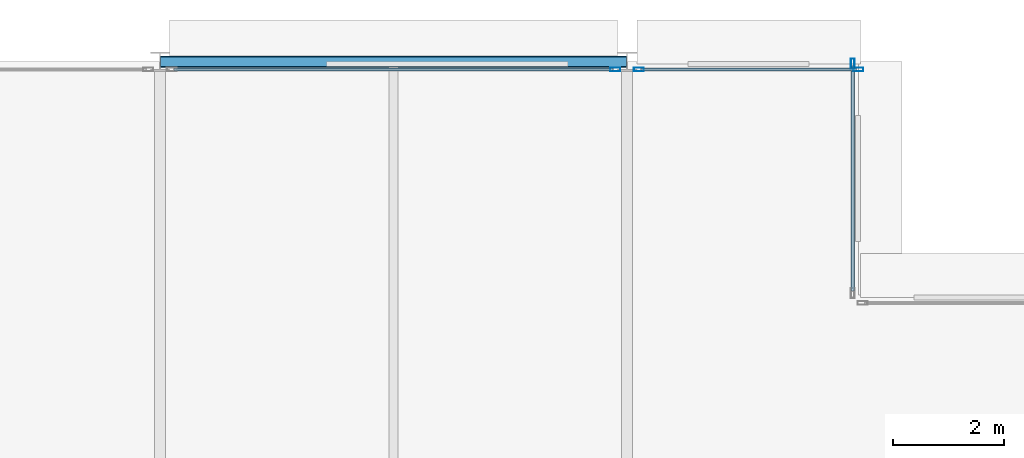
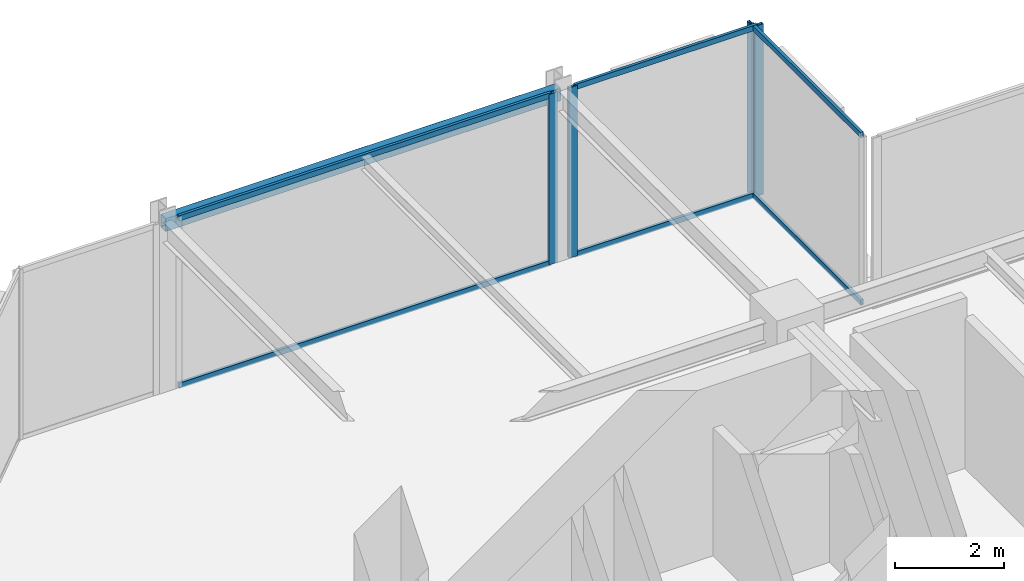
# One storey, part 21 of 29: 10 members, 1 beam, 3 elements without a shape of their own.
"""IFC4 building model written with IfcOpenShell, lengths in metres."""

from ifc_helpers import new_model, si_unit, direction, frame, origin, origin_2d, place, context, subcontext, project, spatial, hollow_rectangle, extrude, material, layer, layer_set, material_profile, profile_set, type_object, element, aggregate, save


model = new_model("IFC4")

# Units and contexts
model_context = context("Model", 3, precision=1e-05, world=origin(), true_north=direction((0.0, 1.0)))
body_context = subcontext(model_context, "Body", "Model", "MODEL_VIEW")
ifc_project = project(units=[si_unit("LENGTHUNIT", "METRE"), si_unit("AREAUNIT", "SQUARE_METRE"), si_unit("VOLUMEUNIT", "CUBIC_METRE"), si_unit("PLANEANGLEUNIT", "RADIAN"), si_unit("MASSUNIT", "GRAM", prefix="KILO")], contexts=[model_context])

# Site, building, storey
site_placement = place(None, origin())
site = spatial("IfcSite", under=ifc_project, at=site_placement, CompositionType="ELEMENT")
building_placement = place(site_placement, origin())
building = spatial("IfcBuilding", under=site, at=building_placement, Name="Nerrivon Quay Data Exchange", CompositionType="ELEMENT")
storey_placement = place(building_placement, frame((0.0, 0.0, 191.89990234375)))
storey = spatial("IfcBuildingStorey", under=building, at=storey_placement, Name="L45", CompositionType="ELEMENT", Elevation=191.89990234375)

# Beam
ifc_material_1 = material(Name="Steel Grade C350L0 (350 MPa)", Category="steel")
ifc_material_profile_1 = material_profile(ifc_material_1, hollow_rectangle(XDim=0.199951171875, YDim=0.300048828125, WallThickness=0.012451171875, InnerFilletRadius=0.018798828125, OuterFilletRadius=0.03125, at=origin_2d()), Name="300x200x12.5RHS")
ifc_profile_set_1 = profile_set([ifc_material_profile_1], Name="Steel Grade C350L0 (350 MPa)")
beam_type = type_object("IfcBeamType", Name="BM-SP3-300x200RHS", PredefinedType="SPANDREL", material=ifc_profile_set_1)
beam_placement = place(storey_placement, frame((8.409912109375, 50.39990234375, 3.675048828125), z_axis=(1.0, 0.0, 0.0), x_axis=(0.0, 1.0, 0.0)))
element("IfcBeam", 1, at=beam_placement, inside=storey, type_object=beam_type, Name="L45 EW Girder Y=50.4 (8.4..16.8)", PredefinedType="SPANDREL", context=body_context, shape_type="SweptSolid", body=[
    extrude(hollow_rectangle(XDim=0.199951171875, YDim=0.300048828125, WallThickness=0.012451171875, InnerFilletRadius=0.018798828125, OuterFilletRadius=0.03125, at=origin_2d()), origin(), (0.0, 0.0, 1.0), 8.380126953125),
])

# Curtain wall, member
ifc_material_2 = material(Name="Anodised aluminium 6063-T6", Category="aluminium")
ifc_layer = layer(ifc_material_2, 0.195068359375)
ifc_layer_set = layer_set([ifc_layer], Name="Anodised aluminium 6063-T6")
curtain_wall_type = type_object("IfcCurtainWallType", Name="CW-SYS-06", PredefinedType="NOTDEFINED", material=ifc_layer_set)
curtain_wall_1_placement = place(storey_placement, origin())
curtain_wall_1 = element("IfcCurtainWall", 2, at=curtain_wall_1_placement, inside=storey, type_object=curtain_wall_type, Name="L45 Unitised Curtain Wall 9", PredefinedType="NOTDEFINED")
ifc_material_profile_2 = material_profile(ifc_material_2, hollow_rectangle(XDim=0.06494140625, YDim=0.179931640625, WallThickness=0.00341796875, at=origin_2d()), Name="ALU-MULL-180x65")
ifc_profile_set_2 = profile_set([ifc_material_profile_2], Name="Anodised aluminium 6063-T6")
member_type_1 = type_object("IfcMemberType", Name="CWM-180x65", PredefinedType="MULLION", material=ifc_profile_set_2)
member_1_placement = place(storey_placement, frame((16.58740234375, 50.260009765625, 0.0), z_axis=(0.0, 0.0, 1.0), x_axis=(0.0, 1.0, 0.0)))
member_1 = element("IfcMember", 3, at=member_1_placement, type_object=member_type_1, Name="CW06 mullion 2", PredefinedType="MULLION", context=body_context, shape_type="SweptSolid", body=[
    extrude(hollow_rectangle(XDim=0.06494140625, YDim=0.179931640625, WallThickness=0.00341796875, at=origin_2d()), origin(), (0.0, 0.0, 1.0), 3.8251953125),
])

# Curtain wall, members
curtain_wall_2_placement = place(storey_placement, origin())
curtain_wall_2 = element("IfcCurtainWall", 4, at=curtain_wall_2_placement, inside=storey, type_object=curtain_wall_type, Name="L45 Unitised Curtain Wall 10", PredefinedType="NOTDEFINED")
member_2_placement = place(storey_placement, frame((17.012451171875, 50.260009765625, 0.0), z_axis=(0.0, 0.0, 1.0), x_axis=(0.0, 1.0, 0.0)))
member_2 = element("IfcMember", 5, at=member_2_placement, type_object=member_type_1, Name="CW06 mullion 1", PredefinedType="MULLION", context=body_context, shape_type="SweptSolid", body=[
    extrude(hollow_rectangle(XDim=0.06494140625, YDim=0.179931640625, WallThickness=0.00341796875, at=origin_2d()), origin(), (0.0, 0.0, 1.0), 3.8251953125),
])
member_3_placement = place(storey_placement, frame((20.96240234375, 50.260009765625, 0.0), z_axis=(0.0, 0.0, 1.0), x_axis=(0.0, 1.0, 0.0)))
member_3 = element("IfcMember", 6, at=member_3_placement, type_object=member_type_1, Name="CW06 mullion 2", PredefinedType="MULLION", context=body_context, shape_type="SweptSolid", body=[
    extrude(hollow_rectangle(XDim=0.06494140625, YDim=0.179931640625, WallThickness=0.00341796875, at=origin_2d()), origin(), (0.0, 0.0, 1.0), 3.8251953125),
])

# Curtain wall, member
curtain_wall_3_placement = place(storey_placement, origin())
curtain_wall_3 = element("IfcCurtainWall", 7, at=curtain_wall_3_placement, inside=storey, type_object=curtain_wall_type, Name="L45 Unitised Curtain Wall 11", PredefinedType="NOTDEFINED")
member_4_placement = place(storey_placement, frame((20.860107421875, 50.362548828125, 0.0), z_axis=(0.0, 0.0, 1.0), x_axis=(1.0, 0.0, 0.0)))
member_4 = element("IfcMember", 8, at=member_4_placement, type_object=member_type_1, Name="CW06 mullion 1", PredefinedType="MULLION", context=body_context, shape_type="SweptSolid", body=[
    extrude(hollow_rectangle(XDim=0.06494140625, YDim=0.179931640625, WallThickness=0.00341796875, at=origin_2d()), origin(), (0.0, 0.0, 1.0), 3.8251953125),
])

# Member
ifc_material_profile_3 = material_profile(ifc_material_2, hollow_rectangle(XDim=0.06005859375, YDim=0.1201171875, WallThickness=0.003173828125, at=origin_2d()), Name="ALU-TRAN-120x60")
ifc_profile_set_3 = profile_set([ifc_material_profile_3], Name="Anodised aluminium 6063-T6")
member_type_2 = type_object("IfcMemberType", Name="CWT-120x60", PredefinedType="USERDEFINED", material=ifc_profile_set_3)
member_5_placement = place(storey_placement, frame((8.64990234375, 50.260009765625, 0.03271484375), z_axis=(1.0, 0.0, 0.0), x_axis=(0.0, 1.0, 0.0)))
member_5 = element("IfcMember", 9, at=member_5_placement, type_object=member_type_2, Name="CW06 transom 1.1", ObjectType="TRANSOM", PredefinedType="USERDEFINED", context=body_context, shape_type="SweptSolid", body=[
    extrude(hollow_rectangle(XDim=0.06005859375, YDim=0.1201171875, WallThickness=0.003173828125, at=origin_2d()), origin(), (0.0, 0.0, 1.0), 7.900146484375),
])

member_6_placement = place(storey_placement, frame((8.64990234375, 50.260009765625, 3.79248046875), z_axis=(1.0, 0.0, 0.0), x_axis=(0.0, 1.0, 0.0)))
member_6 = element("IfcMember", 10, at=member_6_placement, type_object=member_type_2, Name="CW06 transom 1.2", ObjectType="TRANSOM", PredefinedType="USERDEFINED", context=body_context, shape_type="SweptSolid", body=[
    extrude(hollow_rectangle(XDim=0.06005859375, YDim=0.1201171875, WallThickness=0.003173828125, at=origin_2d()), origin(), (0.0, 0.0, 1.0), 7.900146484375),
])

aggregate(curtain_wall_1, [member_1, member_5, member_6])

member_7_placement = place(storey_placement, frame((17.050048828125, 50.260009765625, 0.03271484375), z_axis=(1.0, 0.0, 0.0), x_axis=(0.0, 1.0, 0.0)))
member_7 = element("IfcMember", 11, at=member_7_placement, type_object=member_type_2, Name="CW06 transom 1.1", ObjectType="TRANSOM", PredefinedType="USERDEFINED", context=body_context, shape_type="SweptSolid", body=[
    extrude(hollow_rectangle(XDim=0.06005859375, YDim=0.1201171875, WallThickness=0.003173828125, at=origin_2d()), origin(), (0.0, 0.0, 1.0), 3.875),
])

member_8_placement = place(storey_placement, frame((17.050048828125, 50.260009765625, 3.79248046875), z_axis=(1.0, 0.0, 0.0), x_axis=(0.0, 1.0, 0.0)))
member_8 = element("IfcMember", 12, at=member_8_placement, type_object=member_type_2, Name="CW06 transom 1.2", ObjectType="TRANSOM", PredefinedType="USERDEFINED", context=body_context, shape_type="SweptSolid", body=[
    extrude(hollow_rectangle(XDim=0.06005859375, YDim=0.1201171875, WallThickness=0.003173828125, at=origin_2d()), origin(), (0.0, 0.0, 1.0), 3.875),
])

aggregate(curtain_wall_2, [member_2, member_3, member_7, member_8])

member_9_placement = place(storey_placement, frame((20.860107421875, 50.324951171875, 0.03271484375), z_axis=(0.0, -1.0, 0.0), x_axis=(1.0, 0.0, 0.0)))
member_9 = element("IfcMember", 13, at=member_9_placement, type_object=member_type_2, Name="CW06 transom 1.1", ObjectType="TRANSOM", PredefinedType="USERDEFINED", context=body_context, shape_type="SweptSolid", body=[
    extrude(hollow_rectangle(XDim=0.06005859375, YDim=0.1201171875, WallThickness=0.003173828125, at=origin_2d()), origin(), (0.0, 0.0, 1.0), 4.050048828125),
])

member_10_placement = place(storey_placement, frame((20.860107421875, 50.324951171875, 3.79248046875), z_axis=(0.0, -1.0, 0.0), x_axis=(1.0, 0.0, 0.0)))
member_10 = element("IfcMember", 14, at=member_10_placement, type_object=member_type_2, Name="CW06 transom 1.2", ObjectType="TRANSOM", PredefinedType="USERDEFINED", context=body_context, shape_type="SweptSolid", body=[
    extrude(hollow_rectangle(XDim=0.06005859375, YDim=0.1201171875, WallThickness=0.003173828125, at=origin_2d()), origin(), (0.0, 0.0, 1.0), 4.050048828125),
])

aggregate(curtain_wall_3, [member_4, member_9, member_10])

save(model, "model.ifc")
